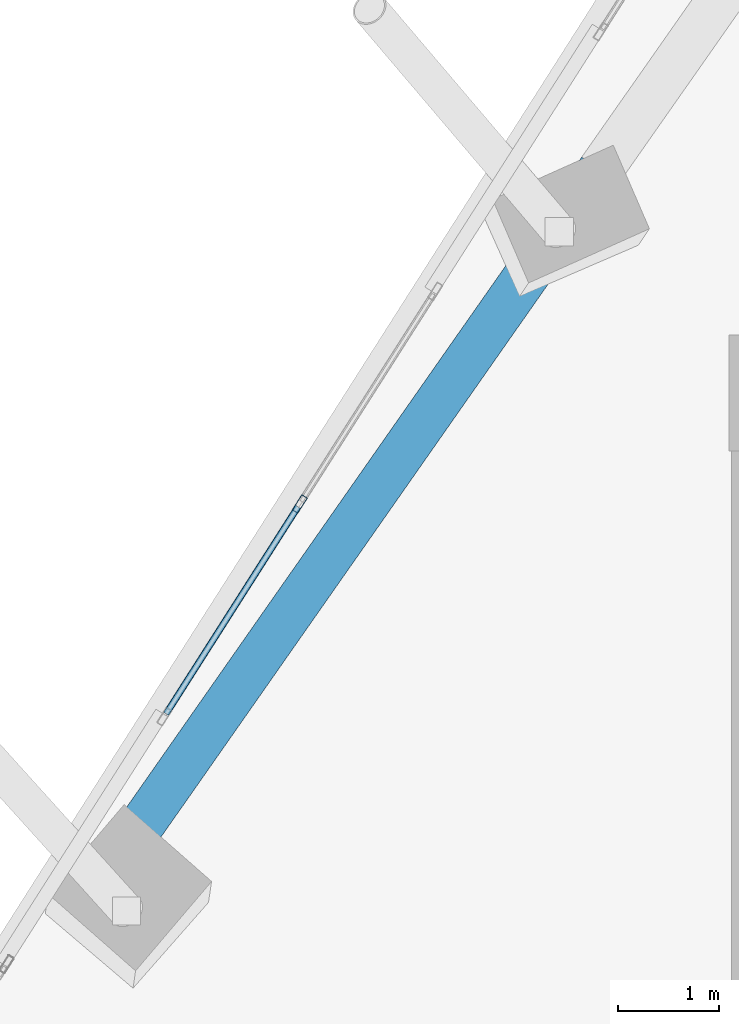
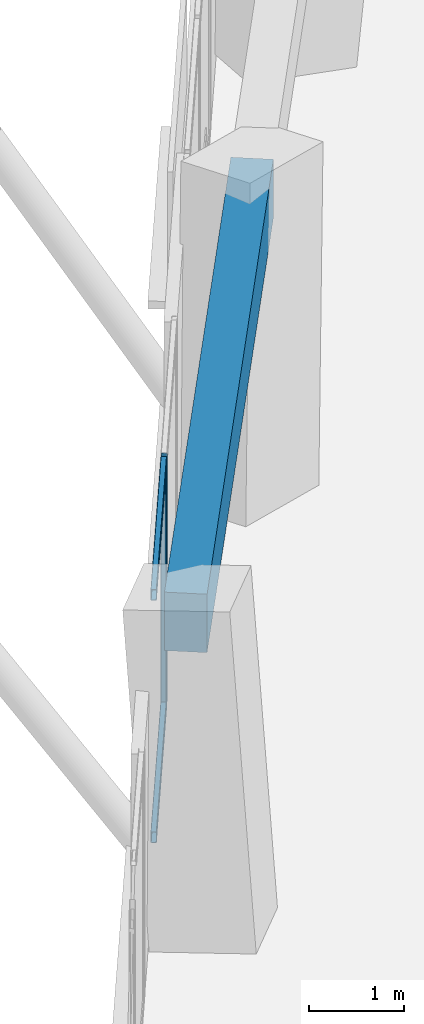
# One storey, part 6 of 24: 3 members, 1 beam, 1 element without a shape of its own.
"""IFC4 building model written with IfcOpenShell, lengths in metres."""

from ifc_helpers import new_model, si_unit, direction, frame, origin, origin_2d, place, context, subcontext, project, spatial, rectangle, hollow_rectangle, extrude, source, transform, mapped, material, material_profile, profile_set, type_object, element, aggregate, save


model = new_model("IFC4")

# Units and contexts
model_context = context("Model", 3, precision=1e-05, world=origin(), true_north=direction((0.0, 1.0)))
body_context = subcontext(model_context, "Body", "Model", "MODEL_VIEW")
ifc_project = project(units=[si_unit("LENGTHUNIT", "METRE"), si_unit("AREAUNIT", "SQUARE_METRE"), si_unit("VOLUMEUNIT", "CUBIC_METRE"), si_unit("PLANEANGLEUNIT", "RADIAN"), si_unit("MASSUNIT", "GRAM", prefix="KILO")], contexts=[model_context])

# Site, building, storey
site_placement = place(None, origin())
site = spatial("IfcSite", under=ifc_project, at=site_placement, CompositionType="ELEMENT")
building_placement = place(site_placement, origin())
building = spatial("IfcBuilding", under=site, at=building_placement, Name="Torre Montelarca", CompositionType="ELEMENT")
storey_placement = place(building_placement, frame((0.0, 0.0, 191.800048828125)))
storey = spatial("IfcBuildingStorey", under=building, at=storey_placement, Name="L43", CompositionType="ELEMENT", Elevation=191.800048828125)

# Beam
ifc_material_1 = material(Name="Concrete C55/67", Category="concrete")
ifc_material_profile_1 = material_profile(ifc_material_1, rectangle(XDim=0.449951171875, YDim=0.75, at=origin_2d()), Name="RCB450X750", Category="concrete")
ifc_profile_set_1 = profile_set([ifc_material_profile_1], Name="Concrete C55/67")
beam_type = type_object("IfcBeamType", Name="BM-SP-RC750-EXT", PredefinedType="SPANDREL", material=ifc_profile_set_1)
shared_shape_1 = source(origin(), body_context, "Body", "SweptSolid", [
    extrude(rectangle(XDim=0.449951171875, YDim=0.75, at=origin_2d()), origin(), (0.0, 0.0, 1.0), 8.0),
])
beam_placement = place(storey_placement, frame((3.108642578125, 35.111572265625, 3.5849609375), z_axis=(0.573577035512, 0.819151624752, 0.0), x_axis=(-0.819151624752, 0.573577035512, 0.0)))
element("IfcBeam", 1, at=beam_placement, inside=storey, type_object=beam_type, Name="L43 Grid Girder Y 24.0-32.0 at X=4.7", PredefinedType="SPANDREL", context=body_context, shape_type="MappedRepresentation", body=[
    mapped(shared_shape_1, transform((0.0, 0.0, 0.0), scale=1.0)),
])

# Curtain wall, members
ifc_material_2 = material(Name="Insulated low-E laminated glass", Category="glass")
curtain_wall_type = type_object("IfcCurtainWallType", Name="CW-SYS-Z2", PredefinedType="USERDEFINED", material=ifc_material_2)
curtain_wall_placement = place(storey_placement, origin())
curtain_wall = element("IfcCurtainWall", 2, at=curtain_wall_placement, inside=storey, type_object=curtain_wall_type, Name="L43 Curtain Wall Run CW-T3-L43-E10-B2", ObjectType="UNITISED GLAZING", PredefinedType="USERDEFINED")
ifc_material_3 = material(Name="Anodised aluminium AA 6063-T6", Category="aluminium")
ifc_material_profile_2 = material_profile(ifc_material_3, hollow_rectangle(XDim=0.06494140625, YDim=0.179931640625, WallThickness=0.00390625, InnerFilletRadius=0.00390625, OuterFilletRadius=0.008056640625, at=origin_2d()), Name="ALU65X180X4", Category="aluminium")
ifc_profile_set_2 = profile_set([ifc_material_profile_2], Name="Anodised aluminium AA 6063-T6")
member_type_1 = type_object("IfcMemberType", Name="CWM-ALU180", PredefinedType="MULLION", material=ifc_profile_set_2)
shared_shape_2 = source(origin(), body_context, "Body", "SweptSolid", [
    extrude(hollow_rectangle(XDim=0.06494140625, YDim=0.179931640625, WallThickness=0.00390625, InnerFilletRadius=0.00390625, OuterFilletRadius=0.008056640625, at=origin_2d()), origin(), (0.0, 0.0, 1.0), 3.175048828125),
])
member_1_placement = place(storey_placement, frame((4.7119140625, 38.348388671875, 0.0), z_axis=(0.0, 0.0, 1.0), x_axis=(0.843390246522, -0.537301490851, 0.0)))
member_1 = element("IfcMember", 3, at=member_1_placement, type_object=member_type_1, Name="CW mullion 2", PredefinedType="MULLION", context=body_context, shape_type="MappedRepresentation", body=[
    mapped(shared_shape_2, transform((0.0, 0.0, 0.0), scale=1.0)),
])
ifc_material_profile_3 = material_profile(ifc_material_3, hollow_rectangle(XDim=0.06494140625, YDim=0.139892578125, WallThickness=0.00390625, InnerFilletRadius=0.00390625, OuterFilletRadius=0.008056640625, at=origin_2d()), Name="ALU65X140X4", Category="aluminium")
ifc_profile_set_3 = profile_set([ifc_material_profile_3], Name="Anodised aluminium AA 6063-T6")
member_type_2 = type_object("IfcMemberType", Name="CWT-ALU140", PredefinedType="USERDEFINED", material=ifc_profile_set_3)
shared_shape_3 = source(origin(), body_context, "Body", "SweptSolid", [
    extrude(hollow_rectangle(XDim=0.06494140625, YDim=0.139892578125, WallThickness=0.00390625, InnerFilletRadius=0.00390625, OuterFilletRadius=0.008056640625, at=origin_2d()), origin(), (0.0, 0.0, 1.0), 2.4384765625),
])
member_2_placement = place(storey_placement, frame((4.6943359375, 38.32080078125, 0.032470703125), z_axis=(-0.537322405196, -0.843376922185, 0.0), x_axis=(0.843376922185, -0.537322405196, 0.0)))
member_2 = element("IfcMember", 4, at=member_2_placement, type_object=member_type_2, Name="CW transom 2.1", ObjectType="TRANSOM", PredefinedType="USERDEFINED", context=body_context, shape_type="MappedRepresentation", body=[
    mapped(shared_shape_3, transform((0.0, 0.0, 0.0), scale=1.0)),
])
member_3_placement = place(storey_placement, frame((4.6943359375, 38.32080078125, 3.142333984375), z_axis=(-0.537322405196, -0.843376922185, 0.0), x_axis=(0.843376922185, -0.537322405196, 0.0)))
member_3 = element("IfcMember", 5, at=member_3_placement, type_object=member_type_2, Name="CW transom 2.2", ObjectType="TRANSOM", PredefinedType="USERDEFINED", context=body_context, shape_type="MappedRepresentation", body=[
    mapped(shared_shape_3, transform((0.0, 0.0, 0.0), scale=1.0)),
])
aggregate(curtain_wall, [member_1, member_2, member_3])

save(model, "model.ifc")
